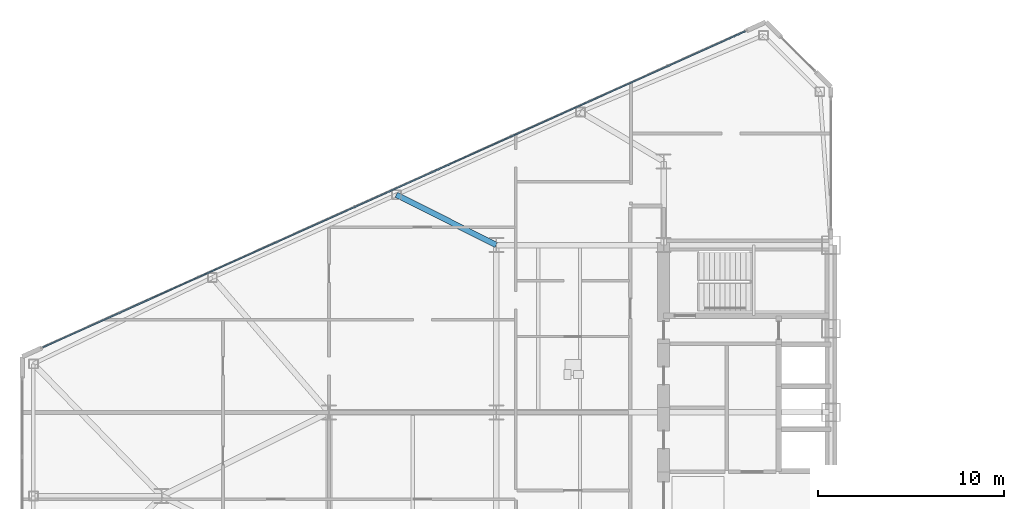
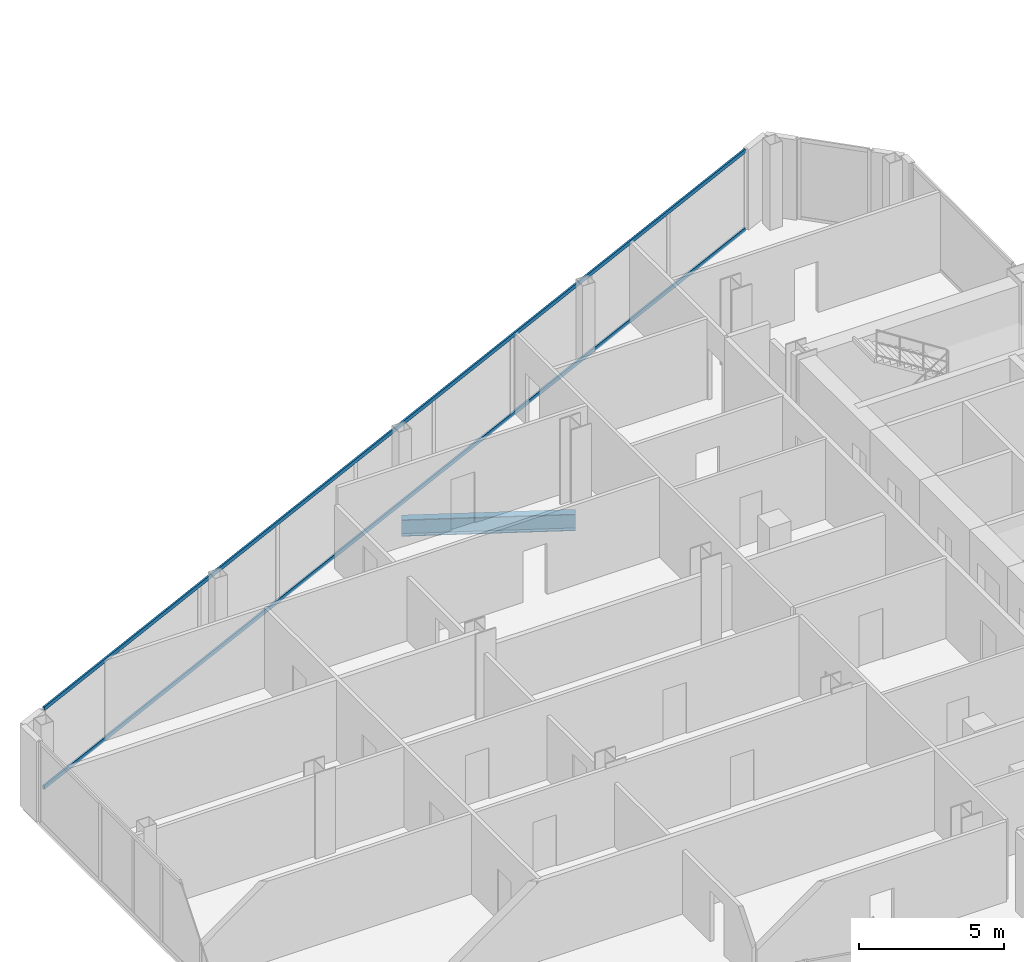
# One storey, part 8 of 27: 2 members, 1 beam, 1 element without a shape of its own.
"""IFC4 building model written with IfcOpenShell, lengths in metres."""

from ifc_helpers import new_model, si_unit, direction, frame, origin, origin_2d, place, context, subcontext, project, spatial, rectangle, i_section, extrude, source, transform, mapped, material, layer, layer_set, material_profile, profile_set, type_object, type_shapes, element, aggregate, save


model = new_model("IFC4")

# Units and contexts
model_context = context("Model", 3, precision=1e-05, world=origin(), true_north=direction((0.0, 1.0)))
body_context = subcontext(model_context, "Body", "Model", "MODEL_VIEW")
ifc_project = project(units=[si_unit("LENGTHUNIT", "METRE"), si_unit("AREAUNIT", "SQUARE_METRE"), si_unit("VOLUMEUNIT", "CUBIC_METRE"), si_unit("PLANEANGLEUNIT", "RADIAN"), si_unit("MASSUNIT", "GRAM", prefix="KILO")], contexts=[model_context])

# Site, building, storey
site_placement = place(None, origin())
site = spatial("IfcSite", under=ifc_project, at=site_placement, CompositionType="ELEMENT")
building_placement = place(site_placement, origin())
building = spatial("IfcBuilding", under=site, at=building_placement, Name="Seokmaru Belvedere", CompositionType="ELEMENT")
storey_placement = place(building_placement, frame((0.0, 0.0, 72.89990234375)))
storey = spatial("IfcBuildingStorey", under=building, at=storey_placement, Name="L19", CompositionType="ELEMENT", Elevation=72.89990234375)

# Beam
ifc_material_1 = material(Name="Steel SM355 (355 MPa)", Category="steel")
ifc_material_profile_1 = material_profile(ifc_material_1, i_section(OverallWidth=0.300048828125, OverallDepth=0.699951171875, WebThickness=0.012939453125, FlangeThickness=0.02392578125, at=origin_2d()), Name="H-700x300x13x24")
ifc_profile_set_1 = profile_set([ifc_material_profile_1], Name="Steel SM355 (355 MPa)")
beam_type = type_object("IfcBeamType", Name="Primary Floor Girder H-700", PredefinedType="BEAM", material=ifc_profile_set_1)
shared_shape_1 = source(origin(), body_context, "Body", "SweptSolid", [
    extrude(i_section(OverallWidth=0.300048828125, OverallDepth=0.699951171875, WebThickness=0.012939453125, FlangeThickness=0.02392578125, at=origin_2d()), origin(), (0.0, 0.0, 1.0), 6.017333984375),
])
type_shapes(beam_type, [shared_shape_1])
beam_placement = place(storey_placement, frame((-50.875, 16.205322265625, -0.56982421875), z_axis=(0.893239341975, -0.449581447512, 0.0), x_axis=(0.449581447512, 0.893239341975, 0.0)))
element("IfcBeam", 1, at=beam_placement, inside=storey, type_object=beam_type, Name="L19 W Flank Radial Floor Girder N-2", PredefinedType="BEAM", context=body_context, shape_type="MappedRepresentation", body=[
    mapped(shared_shape_1, transform((0.0, 0.0, 0.0), scale=1.0)),
])

# Curtain wall, members
ifc_material_2 = material(Name="Bronze Triple Insulating Glass", Category="glass")
ifc_layer = layer(ifc_material_2, 0.195068359375)
ifc_layer_set = layer_set([ifc_layer], Name="Bronze Triple Insulating Glass")
curtain_wall_type = type_object("IfcCurtainWallType", Name="Lower-Mid Tapered Curtain Wall System CW-3", PredefinedType="NOTDEFINED", material=ifc_layer_set)
curtain_wall_placement = place(storey_placement, origin())
curtain_wall = element("IfcCurtainWall", 2, at=curtain_wall_placement, inside=storey, type_object=curtain_wall_type, Name="L19 Curtain Wall WF3", PredefinedType="NOTDEFINED")
ifc_material_3 = material(Name="Anodised Bronze Aluminium", Category="aluminium")
ifc_material_profile_2 = material_profile(ifc_material_3, rectangle(XDim=0.070068359375, YDim=0.1650390625, at=origin_2d()), Name="CW-T-70x165")
ifc_profile_set_2 = profile_set([ifc_material_profile_2], Name="Anodised Bronze Aluminium")
member_type = type_object("IfcMemberType", Name="Bronze Unitised Transom 70x165", PredefinedType="USERDEFINED", material=ifc_profile_set_2)
shared_shape_2 = source(origin(), body_context, "Body", "SweptSolid", [
    extrude(rectangle(XDim=0.070068359375, YDim=0.1650390625, at=origin_2d()), origin(), (0.0, 0.0, 1.0), 41.423583984375),
])
type_shapes(member_type, [shared_shape_2])
member_1_placement = place(storey_placement, frame((-32.112548828125, 24.99951171875, 0.03515625), z_axis=(-0.911918637916, -0.410371048956, 0.0), x_axis=(0.410371048956, -0.911918637916, 0.0)))
member_1 = element("IfcMember", 3, at=member_1_placement, type_object=member_type, Name="CW:L19:WF3 Continuous Transom 1", ObjectType="TRANSOM", PredefinedType="USERDEFINED", context=body_context, shape_type="MappedRepresentation", body=[
    mapped(shared_shape_2, transform((0.0, 0.0, 0.0), scale=1.0)),
])
member_2_placement = place(storey_placement, frame((-32.112548828125, 24.99951171875, 3.34521484375), z_axis=(-0.911918637916, -0.410371048956, 0.0), x_axis=(0.410371048956, -0.911918637916, 0.0)))
member_2 = element("IfcMember", 4, at=member_2_placement, type_object=member_type, Name="CW:L19:WF3 Continuous Transom 2", ObjectType="TRANSOM", PredefinedType="USERDEFINED", context=body_context, shape_type="MappedRepresentation", body=[
    mapped(shared_shape_2, transform((0.0, 0.0, 0.0), scale=1.0)),
])
aggregate(curtain_wall, [member_1, member_2])

save(model, "model.ifc")
